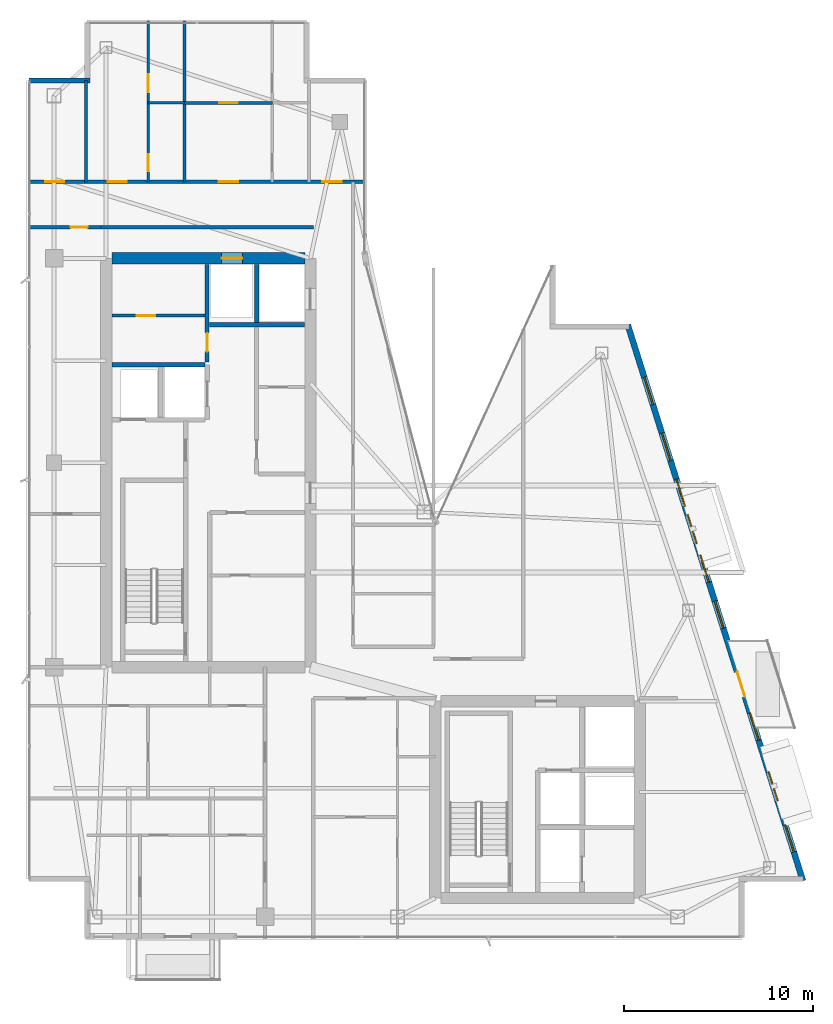
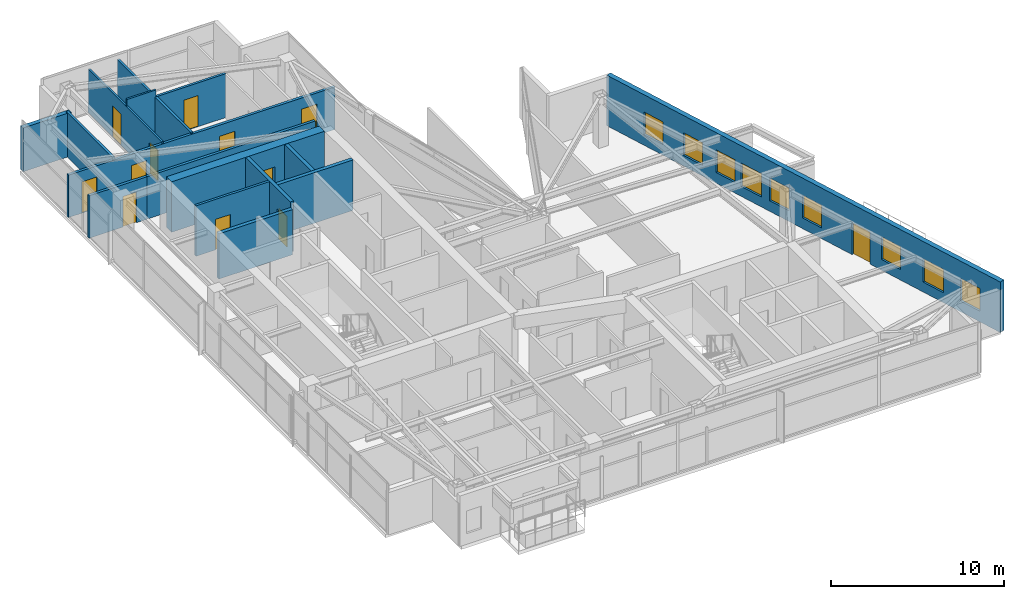
# One storey, part 24 of 27: 16 walls, 12 doors, 9 windows, 21 openings.
"""IFC4 building model written with IfcOpenShell, lengths in metres."""

from ifc_helpers import new_model, si_unit, direction, frame, frame_2d, origin, place, context, subcontext, project, spatial, rectangle, extrude, material, layer, layer_set, type_object, element, fill, save


model = new_model("IFC4")

# Units and contexts
model_context = context("Model", 3, precision=1e-05, world=origin(), true_north=direction((0.0, 1.0)))
body_context = subcontext(model_context, "Body", "Model", "MODEL_VIEW")
ifc_project = project(units=[si_unit("LENGTHUNIT", "METRE"), si_unit("AREAUNIT", "SQUARE_METRE"), si_unit("VOLUMEUNIT", "CUBIC_METRE"), si_unit("PLANEANGLEUNIT", "RADIAN"), si_unit("MASSUNIT", "GRAM", prefix="KILO")], contexts=[model_context])

# Site, building, storey
site_placement = place(None, origin())
site = spatial("IfcSite", under=ifc_project, at=site_placement, CompositionType="ELEMENT")
building_placement = place(site_placement, origin())
building = spatial("IfcBuilding", under=site, at=building_placement, Name="Calvorn Quay Hotel", CompositionType="ELEMENT")
storey_placement = place(building_placement, frame((0.0, 0.0, 298.699951171875)))
storey = spatial("IfcBuildingStorey", under=building, at=storey_placement, Name="L74", CompositionType="ELEMENT", Elevation=298.699951171875)

# Wall, opening, door
ifc_material_1 = material(Name="Concrete C45", Category="concrete")
ifc_layer_1 = layer(ifc_material_1, 0.60009765625)
ifc_layer_set_1 = layer_set([ifc_layer_1], Name="WL-CORE-600")
wall_type_1 = type_object("IfcWallType", Name="WL-CORE-600", PredefinedType="SHEAR", material=ifc_layer_set_1)
wall_1_placement = place(storey_placement, frame((4.5, 38.39990234375, 0.0), z_axis=(0.0, 0.0, 1.0), x_axis=(1.0, 0.0, 0.0)))
wall_1 = element("IfcWall", 1, at=wall_1_placement, inside=storey, type_object=wall_type_1, Name="West Core Shear Wall N (L74)", PredefinedType="SHEAR", context=body_context, shape_type="SweptSolid", body=[
    extrude(rectangle(XDim=10.199951171875, YDim=0.60009765625, at=frame_2d((5.10009765625, 0.0))), origin(), (0.0, 0.0, 1.0), 3.56005859375),
])
opening_1_placement = place(wall_1_placement, frame((5.800048828125, 0.0, 0.0)))
opening_1 = element("IfcOpeningElement", 2, at=opening_1_placement, cuts=wall_1, Name="Opening LD-L74-H2", PredefinedType="OPENING", context=body_context, shape_type="SweptSolid", body=[
    extrude(rectangle(XDim=1.10009765625, YDim=2.199951171875, at=frame_2d((0.550048828125, 1.10009765625))), frame((0.0, 0.31005859375, 0.0), z_axis=(0.0, -1.0, 0.0), x_axis=(1.0, 0.0, 0.0)), (0.0, 0.0, 1.0), 0.6201171875),
])
ifc_material_2 = material(Name="Brushed Stainless Steel Sliding Lift Landing Door", Category="steel")
door_type_1 = type_object("IfcDoorType", Name="DR-LIFT-PASS-1100", OperationType="NOTDEFINED", PredefinedType="DOOR", material=ifc_material_2)
door_1_placement = place(opening_1_placement, origin())
door_1 = element("IfcDoor", 3, at=door_1_placement, inside=storey, type_object=door_type_1, Name="High-Rise Lift PL-H2 Landing Door (L74)", OperationType="DOUBLE_DOOR_SLIDING", OverallHeight=2.199951171875, OverallWidth=1.10009765625, PredefinedType="DOOR", context=body_context, shape_type="SweptSolid", body=[
    extrude(rectangle(XDim=1.10009765625, YDim=2.199951171875, at=frame_2d((0.550048828125, 1.10009765625))), frame((0.0, 0.02490234375, 0.0), z_axis=(0.0, -1.0, 0.0), x_axis=(1.0, 0.0, 0.0)), (0.0, 0.0, 1.0), 0.050048828125),
])
fill(opening_1, door_1)

ifc_material_3 = material(Name="Acoustic Fireboard Steel-Stud Partition", Category="steel")
ifc_layer_2 = layer(ifc_material_3, 0.179931640625)
ifc_layer_set_2 = layer_set([ifc_layer_2], Name="WL-CORR-FIRE-180")
wall_type_2 = type_object("IfcWallType", Name="WL-CORR-FIRE-180", PredefinedType="PARTITIONING", material=ifc_layer_set_2)
wall_2_placement = place(storey_placement, frame((0.080078125, 40.050048828125, 0.0), z_axis=(0.0, 0.0, 1.0), x_axis=(1.0, 0.0, 0.0)))
wall_2 = element("IfcWall", 4, at=wall_2_placement, inside=storey, type_object=wall_type_2, Name="Partition Wall L74-WL-WBAY-N-DOOR", PredefinedType="PARTITIONING", context=body_context, shape_type="SweptSolid", body=[
    extrude(rectangle(XDim=3.849853515625, YDim=0.179931640625, at=frame_2d((1.9248046875, 0.0))), origin(), (0.0, 0.0, 1.0), 2.989990234375),
])
opening_2_placement = place(wall_2_placement, frame((2.25, 0.0, 0.0)))
opening_2 = element("IfcOpeningElement", 5, at=opening_2_placement, cuts=wall_2, Name="Opening D-L74-WBN", PredefinedType="OPENING", context=body_context, shape_type="SweptSolid", body=[
    extrude(rectangle(XDim=0.89990234375, YDim=2.14990234375, at=frame_2d((0.449951171875, 1.074951171875))), frame((0.0, 0.099853515625, 0.0), z_axis=(0.0, -1.0, 0.0), x_axis=(1.0, 0.0, 0.0)), (0.0, 0.0, 1.0), 0.199951171875),
])
ifc_material_4 = material(Name="Moisture-Sealed Timber En-Suite Door", Category="wood")
door_type_2 = type_object("IfcDoorType", Name="DR-ENSUITE-900", OperationType="NOTDEFINED", PredefinedType="DOOR", material=ifc_material_4)
door_2_placement = place(opening_2_placement, origin())
door_2 = element("IfcDoor", 6, at=door_2_placement, inside=storey, type_object=door_type_2, Name="West North Bay Door (L74)", OperationType="SINGLE_SWING_LEFT", OverallHeight=2.14990234375, OverallWidth=0.89990234375, PredefinedType="DOOR", context=body_context, shape_type="SweptSolid", body=[
    extrude(rectangle(XDim=0.89990234375, YDim=2.14990234375, at=frame_2d((0.449951171875, 1.074951171875))), frame((0.0, 0.02490234375, 0.0), z_axis=(0.0, -1.0, 0.0), x_axis=(1.0, 0.0, 0.0)), (0.0, 0.0, 1.0), 0.050048828125),
])
fill(opening_2, door_2)

# Wall, openings, doors
wall_3_placement = place(storey_placement, frame((0.080078125, 42.449951171875, 0.0), z_axis=(0.0, 0.0, 1.0), x_axis=(1.0, 0.0, 0.0)))
wall_3 = element("IfcWall", 7, at=wall_3_placement, inside=storey, type_object=wall_type_2, Name="Partition Wall L74-WL-CORR-NW-N", PredefinedType="PARTITIONING", context=body_context, shape_type="SweptSolid", body=[
    extrude(rectangle(XDim=17.77001953125, YDim=0.179931640625, at=frame_2d((8.885009765625, 0.0))), origin(), (0.0, 0.0, 1.0), 2.989990234375),
])
opening_3_placement = place(wall_3_placement, frame((0.89990234375, 0.0, 0.0)))
opening_3 = element("IfcOpeningElement", 8, at=opening_3_placement, cuts=wall_3, Name="Opening D-L74-NWW", PredefinedType="OPENING", context=body_context, shape_type="SweptSolid", body=[
    extrude(rectangle(XDim=1.02001953125, YDim=2.199951171875, at=frame_2d((0.510009765625, 1.10009765625))), frame((0.0, 0.099853515625, 0.0), z_axis=(0.0, -1.0, 0.0), x_axis=(1.0, 0.0, 0.0)), (0.0, 0.0, 1.0), 0.199951171875),
])
opening_4_placement = place(wall_3_placement, frame((4.199951171875, 0.0, 0.0)))
opening_4 = element("IfcOpeningElement", 9, at=opening_4_placement, cuts=wall_3, Name="Opening D-L74-U04", PredefinedType="OPENING", context=body_context, shape_type="SweptSolid", body=[
    extrude(rectangle(XDim=1.02001953125, YDim=2.199951171875, at=frame_2d((0.510009765625, 1.10009765625))), frame((0.0, 0.099853515625, 0.0), z_axis=(0.0, -1.0, 0.0), x_axis=(1.0, 0.0, 0.0)), (0.0, 0.0, 1.0), 0.199951171875),
])
opening_5_placement = place(wall_3_placement, frame((10.080078125, 0.0, 0.0)))
opening_5 = element("IfcOpeningElement", 10, at=opening_5_placement, cuts=wall_3, Name="Opening D-L74-U05", PredefinedType="OPENING", context=body_context, shape_type="SweptSolid", body=[
    extrude(rectangle(XDim=1.02001953125, YDim=2.199951171875, at=frame_2d((0.510009765625, 1.10009765625))), frame((0.0, 0.099853515625, 0.0), z_axis=(0.0, -1.0, 0.0), x_axis=(1.0, 0.0, 0.0)), (0.0, 0.0, 1.0), 0.199951171875),
])
opening_6_placement = place(wall_3_placement, frame((15.550048828125, 0.0, 0.0)))
opening_6 = element("IfcOpeningElement", 11, at=opening_6_placement, cuts=wall_3, Name="Opening D-L74-NWE", PredefinedType="OPENING", context=body_context, shape_type="SweptSolid", body=[
    extrude(rectangle(XDim=1.02001953125, YDim=2.199951171875, at=frame_2d((0.510009765625, 1.10009765625))), frame((0.0, 0.099853515625, 0.0), z_axis=(0.0, -1.0, 0.0), x_axis=(1.0, 0.0, 0.0)), (0.0, 0.0, 1.0), 0.199951171875),
])
ifc_material_5 = material(Name="Solid-Core Walnut Veneer Hotel Fire Door")
door_type_3 = type_object("IfcDoorType", Name="DR-GUEST-ENTRY-1020", OperationType="NOTDEFINED", PredefinedType="DOOR", material=ifc_material_5)
door_3_placement = place(opening_3_placement, origin())
door_3 = element("IfcDoor", 12, at=door_3_placement, inside=storey, type_object=door_type_3, Name="West Corner Study Door (L74)", OperationType="SINGLE_SWING_LEFT", OverallHeight=2.199951171875, OverallWidth=1.02001953125, PredefinedType="DOOR", context=body_context, shape_type="SweptSolid", body=[
    extrude(rectangle(XDim=1.02001953125, YDim=2.199951171875, at=frame_2d((0.510009765625, 1.10009765625))), frame((0.0, 0.02490234375, 0.0), z_axis=(0.0, -1.0, 0.0), x_axis=(1.0, 0.0, 0.0)), (0.0, 0.0, 1.0), 0.050048828125),
])
fill(opening_3, door_3)
door_4_placement = place(opening_4_placement, origin())
door_4 = element("IfcDoor", 13, at=door_4_placement, inside=storey, type_object=door_type_3, Name="North-West Unit Door U04 (L74)", OperationType="SINGLE_SWING_RIGHT", OverallHeight=2.199951171875, OverallWidth=1.02001953125, PredefinedType="DOOR", context=body_context, shape_type="SweptSolid", body=[
    extrude(rectangle(XDim=1.02001953125, YDim=2.199951171875, at=frame_2d((0.510009765625, 1.10009765625))), frame((0.0, 0.02490234375, 0.0), z_axis=(0.0, -1.0, 0.0), x_axis=(1.0, 0.0, 0.0)), (0.0, 0.0, 1.0), 0.050048828125),
])
fill(opening_4, door_4)
door_5_placement = place(opening_5_placement, origin())
door_5 = element("IfcDoor", 14, at=door_5_placement, inside=storey, type_object=door_type_3, Name="North-West Unit Door U05 (L74)", OperationType="SINGLE_SWING_LEFT", OverallHeight=2.199951171875, OverallWidth=1.02001953125, PredefinedType="DOOR", context=body_context, shape_type="SweptSolid", body=[
    extrude(rectangle(XDim=1.02001953125, YDim=2.199951171875, at=frame_2d((0.510009765625, 1.10009765625))), frame((0.0, 0.02490234375, 0.0), z_axis=(0.0, -1.0, 0.0), x_axis=(1.0, 0.0, 0.0)), (0.0, 0.0, 1.0), 0.050048828125),
])
fill(opening_5, door_5)
door_6_placement = place(opening_6_placement, origin())
door_6 = element("IfcDoor", 15, at=door_6_placement, inside=storey, type_object=door_type_3, Name="Inner Court Study Door (L74)", OperationType="SINGLE_SWING_RIGHT", OverallHeight=2.199951171875, OverallWidth=1.02001953125, PredefinedType="DOOR", context=body_context, shape_type="SweptSolid", body=[
    extrude(rectangle(XDim=1.02001953125, YDim=2.199951171875, at=frame_2d((0.510009765625, 1.10009765625))), frame((0.0, 0.02490234375, 0.0), z_axis=(0.0, -1.0, 0.0), x_axis=(1.0, 0.0, 0.0)), (0.0, 0.0, 1.0), 0.050048828125),
])
fill(opening_6, door_6)

# Walls
wall_4_placement = place(storey_placement, frame((3.8798828125, 40.050048828125, 0.0), z_axis=(0.0, 0.0, 1.0), x_axis=(1.0, 0.0, 0.0)))
element("IfcWall", 16, at=wall_4_placement, inside=storey, type_object=wall_type_2, Name="Partition Wall L74-WL-W-SPUR-S", PredefinedType="PARTITIONING", context=body_context, shape_type="SweptSolid", body=[
    extrude(rectangle(XDim=11.27001953125, YDim=0.179931640625, at=frame_2d((5.635009765625, 0.0))), origin(), (0.0, 0.0, 1.0), 2.989990234375),
])
ifc_material_6 = material(Name="Moisture-Resistant Tile-Backed Partition")
ifc_layer_3 = layer(ifc_material_6, 0.125)
ifc_layer_set_3 = layer_set([ifc_layer_3], Name="WL-ENSUITE-125")
wall_type_3 = type_object("IfcWallType", Name="WL-ENSUITE-125", PredefinedType="PARTITIONING", material=ifc_layer_set_3)
wall_5_placement = place(storey_placement, frame((6.419921875, 46.6201171875, 0.0), z_axis=(0.0, 0.0, 1.0), x_axis=(1.0, 0.0, 0.0)))
element("IfcWall", 17, at=wall_5_placement, inside=storey, type_object=wall_type_3, Name="Partition Wall L74-WL-U04-BDV", PredefinedType="PARTITIONING", context=body_context, shape_type="SweptSolid", body=[
    extrude(rectangle(XDim=1.93017578125, YDim=0.125, at=frame_2d((0.965087890625, 0.0))), origin(), (0.0, 0.0, 1.0), 3.56005859375),
])

# Wall, openings, doors
wall_6_placement = place(storey_placement, frame((6.419921875, 42.449951171875, 0.0), z_axis=(0.0, 0.0, 1.0), x_axis=(0.0, 1.0, 0.0)))
wall_6 = element("IfcWall", 18, at=wall_6_placement, inside=storey, type_object=wall_type_3, Name="Partition Wall L74-WL-U04-BV", PredefinedType="PARTITIONING", context=body_context, shape_type="SweptSolid", body=[
    extrude(rectangle(XDim=8.489990234375, YDim=0.125, at=frame_2d((4.2451171875, 0.0))), origin(), (0.0, 0.0, 1.0), 3.090087890625),
])
opening_7_placement = place(wall_6_placement, frame((0.550048828125, 0.0, 0.0)))
opening_7 = element("IfcOpeningElement", 19, at=opening_7_placement, cuts=wall_6, Name="Opening D-L74-E04", PredefinedType="OPENING", context=body_context, shape_type="SweptSolid", body=[
    extrude(rectangle(XDim=0.89990234375, YDim=2.14990234375, at=frame_2d((0.449951171875, 1.074951171875))), frame((0.0, 0.072509765625, 0.0), z_axis=(0.0, -1.0, 0.0), x_axis=(1.0, 0.0, 0.0)), (0.0, 0.0, 1.0), 0.14501953125),
])
opening_8_placement = place(wall_6_placement, frame((4.719970703125, 0.0, 0.0)))
opening_8 = element("IfcOpeningElement", 20, at=opening_8_placement, cuts=wall_6, Name="Opening D-L74-S04", PredefinedType="OPENING", context=body_context, shape_type="SweptSolid", body=[
    extrude(rectangle(XDim=0.9599609375, YDim=2.199951171875, at=frame_2d((0.47998046875, 1.10009765625))), frame((0.0, 0.072509765625, 0.0), z_axis=(0.0, -1.0, 0.0), x_axis=(1.0, 0.0, 0.0)), (0.0, 0.0, 1.0), 0.14501953125),
])
door_7_placement = place(opening_7_placement, origin())
door_7 = element("IfcDoor", 21, at=door_7_placement, inside=storey, type_object=door_type_2, Name="En-Suite Door 04", OperationType="SINGLE_SWING_LEFT", OverallHeight=2.14990234375, OverallWidth=0.89990234375, PredefinedType="DOOR", context=body_context, shape_type="SweptSolid", body=[
    extrude(rectangle(XDim=0.89990234375, YDim=2.14990234375, at=frame_2d((0.449951171875, 1.074951171875))), frame((0.0, 0.02490234375, 0.0), z_axis=(0.0, -1.0, 0.0), x_axis=(1.0, 0.0, 0.0)), (0.0, 0.0, 1.0), 0.050048828125),
])
fill(opening_7, door_7)
ifc_material_7 = material(Name="Solid Timber Internal Suite Door", Category="wood")
door_type_4 = type_object("IfcDoorType", Name="DR-SUITE-INT-960", OperationType="NOTDEFINED", PredefinedType="DOOR", material=ifc_material_7)
door_8_placement = place(opening_8_placement, origin())
door_8 = element("IfcDoor", 22, at=door_8_placement, inside=storey, type_object=door_type_4, Name="Executive Work Office Door 04", OperationType="SINGLE_SWING_RIGHT", OverallHeight=2.199951171875, OverallWidth=0.9599609375, PredefinedType="DOOR", context=body_context, shape_type="SweptSolid", body=[
    extrude(rectangle(XDim=0.9599609375, YDim=2.199951171875, at=frame_2d((0.47998046875, 1.10009765625))), frame((0.0, 0.02490234375, 0.0), z_axis=(0.0, -1.0, 0.0), x_axis=(1.0, 0.0, 0.0)), (0.0, 0.0, 1.0), 0.050048828125),
])
fill(opening_8, door_8)

# Wall
ifc_material_8 = material(Name="Concrete C40", Category="concrete")
ifc_layer_4 = layer(ifc_material_8, 0.320068359375)
ifc_layer_set_4 = layer_set([ifc_layer_4], Name="WL-EXT-SPANDREL-320")
wall_type_4 = type_object("IfcWallType", Name="WL-EXT-SPANDREL-320", PredefinedType="SOLIDWALL", material=ifc_layer_set_4)
wall_7_placement = place(storey_placement, frame((3.340087890625, 47.800048828125, 0.0), z_axis=(0.0, 0.0, 1.0), x_axis=(-1.0, 0.0, 0.0)))
element("IfcWall", 23, at=wall_7_placement, inside=storey, type_object=wall_type_4, Name="Notched Corner Spandrel L74-NW2", PredefinedType="SOLIDWALL", context=body_context, shape_type="SweptSolid", body=[
    extrude(rectangle(XDim=3.219970703125, YDim=0.280029296875, at=frame_2d((1.60986328125, 0.0))), origin(), (0.0, 0.0, 1.0), 3.090087890625),
])

# Wall, openings, door, windows
wall_8_placement = place(storey_placement, frame((41.030029296875, 5.5048828125, 0.0), z_axis=(0.0, 0.0, 1.0), x_axis=(-0.300509063924, 0.953778958931, 0.0)))
wall_8 = element("IfcWall", 24, at=wall_8_placement, inside=storey, type_object=wall_type_4, Name="East Stepped Waterfront Exterior Wall (L74)", PredefinedType="SOLIDWALL", context=body_context, shape_type="SweptSolid", body=[
    extrude(rectangle(XDim=30.814453125, YDim=0.320068359375, at=frame_2d((15.4072265625, 0.0))), origin(), (0.0, 0.0, 1.0), 3.56005859375),
])
opening_9_placement = place(wall_8_placement, frame((10.198974609375, 0.0, 0.0)))
opening_9 = element("IfcOpeningElement", 25, at=opening_9_placement, cuts=wall_8, Name="Opening DB-L74-1", PredefinedType="OPENING", context=body_context, shape_type="SweptSolid", body=[
    extrude(rectangle(XDim=1.39990234375, YDim=2.25, at=frame_2d((0.699951171875, 1.125))), frame((0.0, 0.169921875, 0.0), z_axis=(0.0, -1.0, 0.0), x_axis=(1.0, 0.0, 0.0)), (0.0, 0.0, 1.0), 0.340087890625),
])
opening_10_placement = place(wall_8_placement, frame((4.43701171875, 0.0, 0.699951171875)))
opening_10 = element("IfcOpeningElement", 26, at=opening_10_placement, cuts=wall_8, Name="Opening WHD-L74-1", PredefinedType="OPENING", context=body_context, shape_type="SweptSolid", body=[
    extrude(rectangle(XDim=1.60009765625, YDim=1.64990234375, at=frame_2d((0.800048828125, 0.824951171875))), frame((0.0, 0.169921875, 0.0), z_axis=(0.0, -1.0, 0.0), x_axis=(1.0, 0.0, 0.0)), (0.0, 0.0, 1.0), 0.340087890625),
])
opening_11_placement = place(wall_8_placement, frame((18.696044921875, 0.0, 0.699951171875)))
opening_11 = element("IfcOpeningElement", 27, at=opening_11_placement, cuts=wall_8, Name="Opening WHD-L74-2", PredefinedType="OPENING", context=body_context, shape_type="SweptSolid", body=[
    extrude(rectangle(XDim=1.60009765625, YDim=1.64990234375, at=frame_2d((0.800048828125, 0.824951171875))), frame((0.0, 0.169921875, 0.0), z_axis=(0.0, -1.0, 0.0), x_axis=(1.0, 0.0, 0.0)), (0.0, 0.0, 1.0), 0.340087890625),
])
opening_12_placement = place(wall_8_placement, frame((1.60009765625, 0.0, 0.75)))
opening_12 = element("IfcOpeningElement", 28, at=opening_12_placement, cuts=wall_8, Name="Opening WG-L74-E1", PredefinedType="OPENING", context=body_context, shape_type="SweptSolid", body=[
    extrude(rectangle(XDim=1.5, YDim=1.60009765625, at=frame_2d((0.75, 0.800048828125))), frame((0.0, 0.169921875, 0.0), z_axis=(0.0, -1.0, 0.0), x_axis=(1.0, 0.0, 0.0)), (0.0, 0.0, 1.0), 0.340087890625),
])
opening_13_placement = place(wall_8_placement, frame((7.800048828125, 0.0, 0.75)))
opening_13 = element("IfcOpeningElement", 29, at=opening_13_placement, cuts=wall_8, Name="Opening WG-L74-E2", PredefinedType="OPENING", context=body_context, shape_type="SweptSolid", body=[
    extrude(rectangle(XDim=1.5, YDim=1.60009765625, at=frame_2d((0.75, 0.800048828125))), frame((0.0, 0.169921875, 0.0), z_axis=(0.0, -1.0, 0.0), x_axis=(1.0, 0.0, 0.0)), (0.0, 0.0, 1.0), 0.340087890625),
])
opening_14_placement = place(wall_8_placement, frame((14.0, 0.0, 0.75)))
opening_14 = element("IfcOpeningElement", 30, at=opening_14_placement, cuts=wall_8, Name="Opening WG-L74-E3", PredefinedType="OPENING", context=body_context, shape_type="SweptSolid", body=[
    extrude(rectangle(XDim=1.5, YDim=1.60009765625, at=frame_2d((0.75, 0.800048828125))), frame((0.0, 0.169921875, 0.0), z_axis=(0.0, -1.0, 0.0), x_axis=(1.0, 0.0, 0.0)), (0.0, 0.0, 1.0), 0.340087890625),
])
opening_15_placement = place(wall_8_placement, frame((16.550048828125, 0.0, 0.75)))
opening_15 = element("IfcOpeningElement", 31, at=opening_15_placement, cuts=wall_8, Name="Opening WG-L74-E4", PredefinedType="OPENING", context=body_context, shape_type="SweptSolid", body=[
    extrude(rectangle(XDim=1.5, YDim=1.60009765625, at=frame_2d((0.75, 0.800048828125))), frame((0.0, 0.169921875, 0.0), z_axis=(0.0, -1.0, 0.0), x_axis=(1.0, 0.0, 0.0)), (0.0, 0.0, 1.0), 0.340087890625),
])
opening_16_placement = place(wall_8_placement, frame((20.75, 0.0, 0.75)))
opening_16 = element("IfcOpeningElement", 32, at=opening_16_placement, cuts=wall_8, Name="Opening WG-L74-E5", PredefinedType="OPENING", context=body_context, shape_type="SweptSolid", body=[
    extrude(rectangle(XDim=1.5, YDim=1.60009765625, at=frame_2d((0.75, 0.800048828125))), frame((0.0, 0.169921875, 0.0), z_axis=(0.0, -1.0, 0.0), x_axis=(1.0, 0.0, 0.0)), (0.0, 0.0, 1.0), 0.340087890625),
])
opening_17_placement = place(wall_8_placement, frame((23.300048828125, 0.0, 0.75)))
opening_17 = element("IfcOpeningElement", 33, at=opening_17_placement, cuts=wall_8, Name="Opening WG-L74-E6", PredefinedType="OPENING", context=body_context, shape_type="SweptSolid", body=[
    extrude(rectangle(XDim=1.5, YDim=1.60009765625, at=frame_2d((0.75, 0.800048828125))), frame((0.0, 0.169921875, 0.0), z_axis=(0.0, -1.0, 0.0), x_axis=(1.0, 0.0, 0.0)), (0.0, 0.0, 1.0), 0.340087890625),
])
opening_18_placement = place(wall_8_placement, frame((26.39990234375, 0.0, 0.75)))
opening_18 = element("IfcOpeningElement", 34, at=opening_18_placement, cuts=wall_8, Name="Opening WG-L74-E7", PredefinedType="OPENING", context=body_context, shape_type="SweptSolid", body=[
    extrude(rectangle(XDim=1.5, YDim=1.60009765625, at=frame_2d((0.75, 0.800048828125))), frame((0.0, 0.169921875, 0.0), z_axis=(0.0, -1.0, 0.0), x_axis=(1.0, 0.0, 0.0)), (0.0, 0.0, 1.0), 0.340087890625),
])
ifc_material_9 = material(Name="Typhoon-Rated Low-E Aluminium Terrace Door", Category="aluminium")
door_type_5 = type_object("IfcDoorType", Name="DR-BALCONY-GLZ-1400", OperationType="NOTDEFINED", PredefinedType="DOOR", material=ifc_material_9)
door_9_placement = place(opening_9_placement, origin())
door_9 = element("IfcDoor", 35, at=door_9_placement, inside=storey, type_object=door_type_5, Name="Tree Balcony Terrace Door L74-BALC-E", OperationType="SINGLE_SWING_LEFT", OverallHeight=2.25, OverallWidth=1.39990234375, PredefinedType="DOOR", context=body_context, shape_type="SweptSolid", body=[
    extrude(rectangle(XDim=1.39990234375, YDim=2.25, at=frame_2d((0.699951171875, 1.125))), frame((0.0, 0.02490234375, 0.0), z_axis=(0.0, -1.0, 0.0), x_axis=(1.0, 0.0, 0.0)), (0.0, 0.0, 1.0), 0.050048828125),
])
fill(opening_9, door_9)
ifc_material_10 = material(Name="Champagne-Bronze Aluminium Low-E Window", Category="aluminium")
window_type_1 = type_object("IfcWindowType", Name="WIN-GUEST-SIDE-1600x2100", PartitioningType="SINGLE_PANEL", PredefinedType="WINDOW", material=ifc_material_10)
window_1_placement = place(opening_10_placement, origin())
window_1 = element("IfcWindow", 36, at=window_1_placement, inside=storey, type_object=window_type_1, Name="Bay Hood Window L74-HOOD-1", OverallHeight=1.64990234375, OverallWidth=1.60009765625, PartitioningType="SINGLE_PANEL", PredefinedType="WINDOW", context=body_context, shape_type="SweptSolid", body=[
    extrude(rectangle(XDim=1.60009765625, YDim=1.64990234375, at=frame_2d((0.800048828125, 0.824951171875))), frame((0.0, 0.030029296875, 0.0), z_axis=(0.0, -1.0, 0.0), x_axis=(1.0, 0.0, 0.0)), (0.0, 0.0, 1.0), 0.06005859375),
])
fill(opening_10, window_1)
window_2_placement = place(opening_11_placement, origin())
window_2 = element("IfcWindow", 37, at=window_2_placement, inside=storey, type_object=window_type_1, Name="Bay Hood Window L74-HOOD-3", OverallHeight=1.64990234375, OverallWidth=1.60009765625, PartitioningType="SINGLE_PANEL", PredefinedType="WINDOW", context=body_context, shape_type="SweptSolid", body=[
    extrude(rectangle(XDim=1.60009765625, YDim=1.64990234375, at=frame_2d((0.800048828125, 0.824951171875))), frame((0.0, 0.030029296875, 0.0), z_axis=(0.0, -1.0, 0.0), x_axis=(1.0, 0.0, 0.0)), (0.0, 0.0, 1.0), 0.06005859375),
])
fill(opening_11, window_2)
ifc_material_11 = material(Name="Self-Closing Class B Fire Window")
window_type_2 = type_object("IfcWindowType", Name="WIN-REFUGE-1500x1600", PartitioningType="SINGLE_PANEL", PredefinedType="WINDOW", material=ifc_material_11)
window_3_placement = place(opening_12_placement, origin())
window_3 = element("IfcWindow", 38, at=window_3_placement, inside=storey, type_object=window_type_2, Name="East Facade Window L74-E1", OverallHeight=1.60009765625, OverallWidth=1.5, PartitioningType="SINGLE_PANEL", PredefinedType="WINDOW", context=body_context, shape_type="SweptSolid", body=[
    extrude(rectangle(XDim=1.5, YDim=1.60009765625, at=frame_2d((0.75, 0.800048828125))), frame((0.0, 0.030029296875, 0.0), z_axis=(0.0, -1.0, 0.0), x_axis=(1.0, 0.0, 0.0)), (0.0, 0.0, 1.0), 0.06005859375),
])
fill(opening_12, window_3)
window_4_placement = place(opening_13_placement, origin())
window_4 = element("IfcWindow", 39, at=window_4_placement, inside=storey, type_object=window_type_2, Name="East Facade Window L74-E2", OverallHeight=1.60009765625, OverallWidth=1.5, PartitioningType="SINGLE_PANEL", PredefinedType="WINDOW", context=body_context, shape_type="SweptSolid", body=[
    extrude(rectangle(XDim=1.5, YDim=1.60009765625, at=frame_2d((0.75, 0.800048828125))), frame((0.0, 0.030029296875, 0.0), z_axis=(0.0, -1.0, 0.0), x_axis=(1.0, 0.0, 0.0)), (0.0, 0.0, 1.0), 0.06005859375),
])
fill(opening_13, window_4)
window_5_placement = place(opening_14_placement, origin())
window_5 = element("IfcWindow", 40, at=window_5_placement, inside=storey, type_object=window_type_2, Name="East Facade Window L74-E3", OverallHeight=1.60009765625, OverallWidth=1.5, PartitioningType="SINGLE_PANEL", PredefinedType="WINDOW", context=body_context, shape_type="SweptSolid", body=[
    extrude(rectangle(XDim=1.5, YDim=1.60009765625, at=frame_2d((0.75, 0.800048828125))), frame((0.0, 0.030029296875, 0.0), z_axis=(0.0, -1.0, 0.0), x_axis=(1.0, 0.0, 0.0)), (0.0, 0.0, 1.0), 0.06005859375),
])
fill(opening_14, window_5)
window_6_placement = place(opening_15_placement, origin())
window_6 = element("IfcWindow", 41, at=window_6_placement, inside=storey, type_object=window_type_2, Name="East Facade Window L74-E4", OverallHeight=1.60009765625, OverallWidth=1.5, PartitioningType="SINGLE_PANEL", PredefinedType="WINDOW", context=body_context, shape_type="SweptSolid", body=[
    extrude(rectangle(XDim=1.5, YDim=1.60009765625, at=frame_2d((0.75, 0.800048828125))), frame((0.0, 0.030029296875, 0.0), z_axis=(0.0, -1.0, 0.0), x_axis=(1.0, 0.0, 0.0)), (0.0, 0.0, 1.0), 0.06005859375),
])
fill(opening_15, window_6)
window_7_placement = place(opening_16_placement, origin())
window_7 = element("IfcWindow", 42, at=window_7_placement, inside=storey, type_object=window_type_2, Name="East Facade Window L74-E5", OverallHeight=1.60009765625, OverallWidth=1.5, PartitioningType="SINGLE_PANEL", PredefinedType="WINDOW", context=body_context, shape_type="SweptSolid", body=[
    extrude(rectangle(XDim=1.5, YDim=1.60009765625, at=frame_2d((0.75, 0.800048828125))), frame((0.0, 0.030029296875, 0.0), z_axis=(0.0, -1.0, 0.0), x_axis=(1.0, 0.0, 0.0)), (0.0, 0.0, 1.0), 0.06005859375),
])
fill(opening_16, window_7)
window_8_placement = place(opening_17_placement, origin())
window_8 = element("IfcWindow", 43, at=window_8_placement, inside=storey, type_object=window_type_2, Name="East Facade Window L74-E6", OverallHeight=1.60009765625, OverallWidth=1.5, PartitioningType="SINGLE_PANEL", PredefinedType="WINDOW", context=body_context, shape_type="SweptSolid", body=[
    extrude(rectangle(XDim=1.5, YDim=1.60009765625, at=frame_2d((0.75, 0.800048828125))), frame((0.0, 0.030029296875, 0.0), z_axis=(0.0, -1.0, 0.0), x_axis=(1.0, 0.0, 0.0)), (0.0, 0.0, 1.0), 0.06005859375),
])
fill(opening_17, window_8)
window_9_placement = place(opening_18_placement, origin())
window_9 = element("IfcWindow", 44, at=window_9_placement, inside=storey, type_object=window_type_2, Name="East Facade Window L74-E7", OverallHeight=1.60009765625, OverallWidth=1.5, PartitioningType="SINGLE_PANEL", PredefinedType="WINDOW", context=body_context, shape_type="SweptSolid", body=[
    extrude(rectangle(XDim=1.5, YDim=1.60009765625, at=frame_2d((0.75, 0.800048828125))), frame((0.0, 0.030029296875, 0.0), z_axis=(0.0, -1.0, 0.0), x_axis=(1.0, 0.0, 0.0)), (0.0, 0.0, 1.0), 0.06005859375),
])
fill(opening_18, window_9)

# Wall, opening, door
ifc_material_12 = material(Name="Double-Stud Acoustic Gypsum Partition")
ifc_layer_5 = layer(ifc_material_12, 0.159912109375)
ifc_layer_set_5 = layer_set([ifc_layer_5], Name="WL-INTERSUITE-160")
wall_type_5 = type_object("IfcWallType", Name="WL-INTERSUITE-160", PredefinedType="PARTITIONING", material=ifc_layer_set_5)
wall_9_placement = place(storey_placement, frame((4.52001953125, 35.3798828125, 0.0), z_axis=(0.0, 0.0, 1.0), x_axis=(1.0, 0.0, 0.0)))
wall_9 = element("IfcWall", 45, at=wall_9_placement, inside=storey, type_object=wall_type_5, Name="Partition Wall L74-WL-CWW-K-MID", PredefinedType="PARTITIONING", context=body_context, shape_type="SweptSolid", body=[
    extrude(rectangle(XDim=4.89990234375, YDim=0.159912109375, at=frame_2d((2.449951171875, 0.0))), origin(), (0.0, 0.0, 1.0), 3.56005859375),
])
opening_19_placement = place(wall_9_placement, frame((1.300048828125, 0.0, 0.0)))
opening_19 = element("IfcOpeningElement", 46, at=opening_19_placement, cuts=wall_9, Name="Opening D-L74-CK2", PredefinedType="OPENING", context=body_context, shape_type="SweptSolid", body=[
    extrude(rectangle(XDim=0.97998046875, YDim=2.14990234375, at=frame_2d((0.489990234375, 1.074951171875))), frame((0.0, 0.08984375, 0.0), z_axis=(0.0, -1.0, 0.0), x_axis=(1.0, 0.0, 0.0)), (0.0, 0.0, 1.0), 0.179931640625),
])
ifc_material_13 = material(Name="Painted Steel Housekeeping/Riser Fire Door", Category="steel")
door_type_6 = type_object("IfcDoorType", Name="DR-SERVICE-980", OperationType="NOTDEFINED", PredefinedType="DOOR", material=ifc_material_13)
door_10_placement = place(opening_19_placement, origin())
door_10 = element("IfcDoor", 47, at=door_10_placement, inside=storey, type_object=door_type_6, Name="Electrical Riser Door (L74)", OperationType="SINGLE_SWING_RIGHT", OverallHeight=2.14990234375, OverallWidth=0.97998046875, PredefinedType="DOOR", context=body_context, shape_type="SweptSolid", body=[
    extrude(rectangle(XDim=0.97998046875, YDim=2.14990234375, at=frame_2d((0.489990234375, 1.074951171875))), frame((0.0, 0.02490234375, 0.0), z_axis=(0.0, -1.0, 0.0), x_axis=(1.0, 0.0, 0.0)), (0.0, 0.0, 1.0), 0.050048828125),
])
fill(opening_19, door_10)

# Wall
wall_10_placement = place(storey_placement, frame((3.14990234375, 42.449951171875, 0.0), z_axis=(0.0, 0.0, 1.0), x_axis=(0.0, 1.0, 0.0)))
element("IfcWall", 48, at=wall_10_placement, inside=storey, type_object=wall_type_5, Name="Partition Wall L74-WL-NW-DIV-W0", PredefinedType="PARTITIONING", context=body_context, shape_type="SweptSolid", body=[
    extrude(rectangle(XDim=5.35009765625, YDim=0.159912109375, at=frame_2d((2.675048828125, 0.0))), origin(), (0.0, 0.0, 1.0), 3.14013671875),
])

# Wall, opening, door
wall_11_placement = place(storey_placement, frame((8.35009765625, 46.6201171875, 0.0), z_axis=(0.0, 0.0, 1.0), x_axis=(1.0, 0.0, 0.0)))
wall_11 = element("IfcWall", 49, at=wall_11_placement, inside=storey, type_object=wall_type_5, Name="Partition Wall L74-WL-U05-MSP", PredefinedType="PARTITIONING", context=body_context, shape_type="SweptSolid", body=[
    extrude(rectangle(XDim=4.639892578125, YDim=0.159912109375, at=frame_2d((2.31982421875, 0.0))), origin(), (0.0, 0.0, 1.0), 3.090087890625),
])
opening_20_placement = place(wall_11_placement, frame((1.840087890625, 0.0, 0.0)))
opening_20 = element("IfcOpeningElement", 50, at=opening_20_placement, cuts=wall_11, Name="Opening D-L74-M05", PredefinedType="OPENING", context=body_context, shape_type="SweptSolid", body=[
    extrude(rectangle(XDim=0.9599609375, YDim=2.199951171875, at=frame_2d((0.47998046875, 1.10009765625))), frame((0.0, 0.08984375, 0.0), z_axis=(0.0, -1.0, 0.0), x_axis=(1.0, 0.0, 0.0)), (0.0, 0.0, 1.0), 0.179931640625),
])
door_11_placement = place(opening_20_placement, origin())
door_11 = element("IfcDoor", 51, at=door_11_placement, inside=storey, type_object=door_type_4, Name="Suite Bedroom Door 05", OperationType="SINGLE_SWING_LEFT", OverallHeight=2.199951171875, OverallWidth=0.9599609375, PredefinedType="DOOR", context=body_context, shape_type="SweptSolid", body=[
    extrude(rectangle(XDim=0.9599609375, YDim=2.199951171875, at=frame_2d((0.47998046875, 1.10009765625))), frame((0.0, 0.02490234375, 0.0), z_axis=(0.0, -1.0, 0.0), x_axis=(1.0, 0.0, 0.0)), (0.0, 0.0, 1.0), 0.050048828125),
])
fill(opening_20, door_11)

# Wall
wall_12_placement = place(storey_placement, frame((8.35009765625, 42.449951171875, 0.0), z_axis=(0.0, 0.0, 1.0), x_axis=(0.0, 1.0, 0.0)))
element("IfcWall", 52, at=wall_12_placement, inside=storey, type_object=wall_type_5, Name="Partition Wall L74-WL-NW-DIV-1", PredefinedType="PARTITIONING", context=body_context, shape_type="SweptSolid", body=[
    extrude(rectangle(XDim=8.489990234375, YDim=0.159912109375, at=frame_2d((4.2451171875, 0.0))), origin(), (0.0, 0.0, 1.0), 3.090087890625),
])

# Wall, opening, door
ifc_material_14 = material(Name="Autoclaved Aerated Masonry Block", Category="masonry")
ifc_layer_6 = layer(ifc_material_14, 0.219970703125)
ifc_layer_set_6 = layer_set([ifc_layer_6], Name="WL-LOBBY-FIRE-220")
wall_type_6 = type_object("IfcWallType", Name="WL-LOBBY-FIRE-220", PredefinedType="SOLIDWALL", material=ifc_layer_set_6)
wall_13_placement = place(storey_placement, frame((9.5400390625, 32.919921875, 0.0), z_axis=(0.0, 0.0, 1.0), x_axis=(0.0, 1.0, 0.0)))
wall_13 = element("IfcWall", 53, at=wall_13_placement, inside=storey, type_object=wall_type_6, Name="Partition Wall L74-WL-CWW-K-E", PredefinedType="SOLIDWALL", context=body_context, shape_type="SweptSolid", body=[
    extrude(rectangle(XDim=5.16015625, YDim=0.219970703125, at=frame_2d((2.580078125, 0.0))), origin(), (0.0, 0.0, 1.0), 3.56005859375),
])
opening_21_placement = place(wall_13_placement, frame((0.550048828125, 0.0, 0.0)))
opening_21 = element("IfcOpeningElement", 54, at=opening_21_placement, cuts=wall_13, Name="Opening D-L74-CK1", PredefinedType="OPENING", context=body_context, shape_type="SweptSolid", body=[
    extrude(rectangle(XDim=0.97998046875, YDim=2.14990234375, at=frame_2d((0.489990234375, 1.074951171875))), frame((0.0, 0.119873046875, 0.0), z_axis=(0.0, -1.0, 0.0), x_axis=(1.0, 0.0, 0.0)), (0.0, 0.0, 1.0), 0.239990234375),
])
door_12_placement = place(opening_21_placement, origin())
door_12 = element("IfcDoor", 55, at=door_12_placement, inside=storey, type_object=door_type_6, Name="Core Housekeeping Door (L74)", OperationType="SINGLE_SWING_LEFT", OverallHeight=2.14990234375, OverallWidth=0.97998046875, PredefinedType="DOOR", context=body_context, shape_type="SweptSolid", body=[
    extrude(rectangle(XDim=0.97998046875, YDim=2.14990234375, at=frame_2d((0.489990234375, 1.074951171875))), frame((0.0, 0.02490234375, 0.0), z_axis=(0.0, -1.0, 0.0), x_axis=(1.0, 0.0, 0.0)), (0.0, 0.0, 1.0), 0.050048828125),
])
fill(opening_21, door_12)

# Walls
ifc_material_15 = material(Name="Concrete C40", Category="concrete")
ifc_layer_7 = layer(ifc_material_15, 0.239990234375)
ifc_layer_set_7 = layer_set([ifc_layer_7], Name="WL-SHAFT-240")
wall_type_7 = type_object("IfcWallType", Name="WL-SHAFT-240", PredefinedType="SOLIDWALL", material=ifc_layer_set_7)
wall_14_placement = place(storey_placement, frame((4.52001953125, 32.780029296875, 0.0), z_axis=(0.0, 0.0, 1.0), x_axis=(1.0, 0.0, 0.0)))
element("IfcWall", 56, at=wall_14_placement, inside=storey, type_object=wall_type_7, Name="Partition Wall L74-WL-CWW-SLW-N", PredefinedType="SOLIDWALL", context=body_context, shape_type="SweptSolid", body=[
    extrude(rectangle(XDim=4.89990234375, YDim=0.239990234375, at=frame_2d((2.449951171875, 0.0))), origin(), (0.0, 0.0, 1.0), 3.18994140625),
])
wall_15_placement = place(storey_placement, frame((9.659912109375, 34.89990234375, 0.0), z_axis=(0.0, 0.0, 1.0), x_axis=(1.0, 0.0, 0.0)))
element("IfcWall", 57, at=wall_15_placement, inside=storey, type_object=wall_type_7, Name="Partition Wall L74-WL-CWW-PLH-S", PredefinedType="SOLIDWALL", context=body_context, shape_type="SweptSolid", body=[
    extrude(rectangle(XDim=5.02001953125, YDim=0.239990234375, at=frame_2d((2.510009765625, 0.0))), origin(), (0.0, 0.0, 1.0), 3.56005859375),
])
wall_16_placement = place(storey_placement, frame((12.14990234375, 35.02001953125, 0.0), z_axis=(0.0, 0.0, 1.0), x_axis=(0.0, 1.0, 0.0)))
element("IfcWall", 58, at=wall_16_placement, inside=storey, type_object=wall_type_7, Name="Partition Wall L74-WL-CWW-PLH-DIV", PredefinedType="SOLIDWALL", context=body_context, shape_type="SweptSolid", body=[
    extrude(rectangle(XDim=3.06005859375, YDim=0.239990234375, at=frame_2d((1.530029296875, 0.0))), origin(), (0.0, 0.0, 1.0), 3.56005859375),
])

save(model, "model.ifc")
